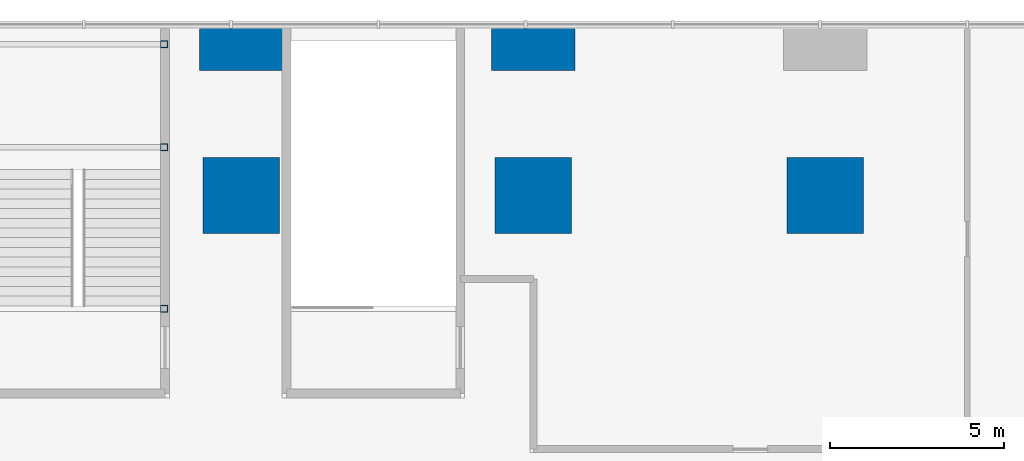
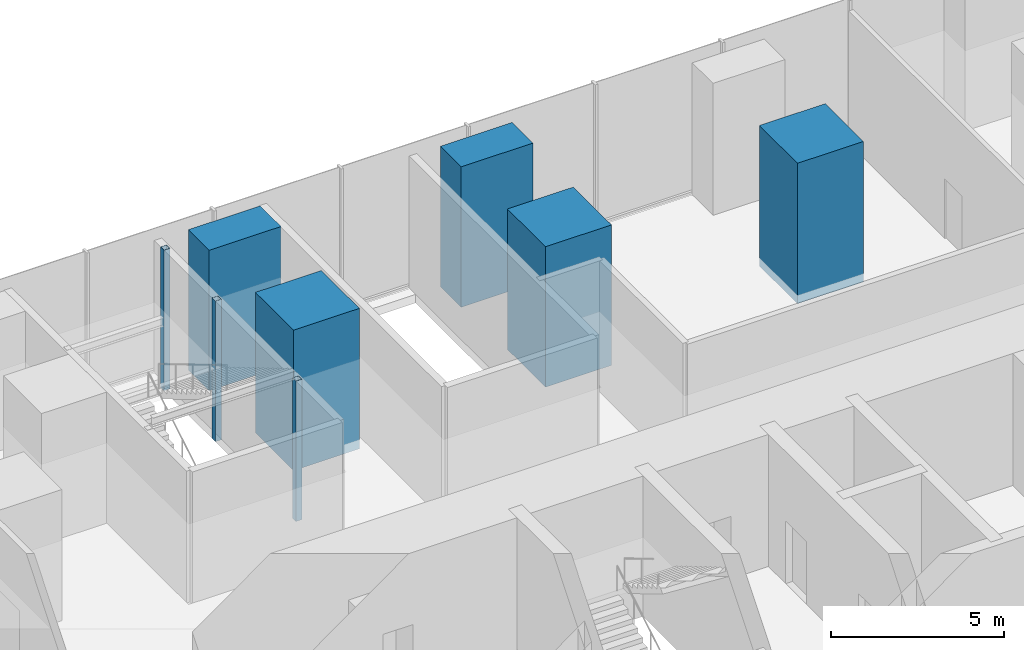
# One storey, part 4 of 18: 8 columns.
"""IFC4 building model written with IfcOpenShell, lengths in metres."""

from ifc_helpers import new_model, si_unit, direction, frame, origin, origin_2d, place, context, subcontext, project, spatial, rectangle, hollow_rectangle, extrude, material, material_profile, profile_set, type_object, element, save


model = new_model("IFC4")

# Units and contexts
model_context = context("Model", 3, precision=1e-05, world=origin(), true_north=direction((0.0, 1.0)))
body_context = subcontext(model_context, "Body", "Model", "MODEL_VIEW")
ifc_project = project(units=[si_unit("LENGTHUNIT", "METRE"), si_unit("AREAUNIT", "SQUARE_METRE"), si_unit("VOLUMEUNIT", "CUBIC_METRE"), si_unit("PLANEANGLEUNIT", "RADIAN"), si_unit("MASSUNIT", "GRAM", prefix="KILO")], contexts=[model_context])

# Site, building, storey
site_placement = place(None, origin())
site = spatial("IfcSite", under=ifc_project, at=site_placement, CompositionType="ELEMENT")
building_placement = place(site_placement, origin())
building = spatial("IfcBuilding", under=site, at=building_placement, Name="Dunama Terrace Hotel", CompositionType="ELEMENT")
storey_placement = place(building_placement, frame((0.0, 0.0, 17.0)))
storey = spatial("IfcBuildingStorey", under=building, at=storey_placement, Name="L03", CompositionType="ELEMENT", Elevation=17.0)

# Columns
ifc_material_1 = material(Name="Concrete C60/75", Category="concrete")
ifc_material_profile_1 = material_profile(ifc_material_1, rectangle(XDim=2.199951171875, YDim=2.199951171875, at=origin_2d()), Name="RC 2200x2200")
ifc_profile_set_1 = profile_set([ifc_material_profile_1], Name="Concrete C60/75")
column_type_1 = type_object("IfcColumnType", Name="Column RC 2200x2200", PredefinedType="COLUMN", material=ifc_profile_set_1)
for number, where, z_axis, x_axis, name in (
    (1, (25.199951171875, 54.0, -0.300048828125), (0.0, 0.0, 1.0), (1.0, 0.0, 0.0), "Column L03 +25.2/+54.0"),
    (2, (33.60009765625, 54.0, -0.300048828125), (0.0, 0.0, 1.0), (1.0, 0.0, 0.0), "Column L03 +33.6/+54.0"),
    (3, (42.0, 54.0, -0.300048828125), (0.0, 0.0, 1.0), (1.0, 0.0, 0.0), "Column L03 +42.0/+54.0"),
):
    element("IfcColumn", number, at=place(storey_placement, frame(where, z_axis=z_axis, x_axis=x_axis)), inside=storey, type_object=column_type_1, Name=name, PredefinedType="COLUMN", context=body_context, shape_type="SweptSolid", body=[
        extrude(rectangle(XDim=2.199951171875, YDim=2.199951171875, at=origin_2d()), origin(), (0.0, 0.0, 1.0), 4.949951171875),
    ])
ifc_material_2 = material(Name="Concrete C60/75", Category="concrete")
ifc_material_profile_2 = material_profile(ifc_material_2, rectangle(XDim=2.39990234375, YDim=1.199951171875, at=origin_2d()), Name="RC 2400x1200")
ifc_profile_set_2 = profile_set([ifc_material_profile_2], Name="Concrete C60/75")
column_type_2 = type_object("IfcColumnType", Name="Column RC 2400x1200", PredefinedType="COLUMN", material=ifc_profile_set_2)
for number, where, z_axis, x_axis, name in (
    (4, (25.199951171875, 58.199951171875, -0.300048828125), (0.0, 0.0, 1.0), (1.0, 0.0, 0.0), "Column L03 +25.2/+58.2"),
    (5, (33.60009765625, 58.199951171875, -0.300048828125), (0.0, 0.0, 1.0), (1.0, 0.0, 0.0), "Column L03 +33.6/+58.2"),
):
    element("IfcColumn", number, at=place(storey_placement, frame(where, z_axis=z_axis, x_axis=x_axis)), inside=storey, type_object=column_type_2, Name=name, PredefinedType="COLUMN", context=body_context, shape_type="SweptSolid", body=[
        extrude(rectangle(XDim=2.39990234375, YDim=1.199951171875, at=origin_2d()), origin(), (0.0, 0.0, 1.0), 4.949951171875),
    ])
ifc_material_3 = material(Name="Steel S355", Category="steel")
ifc_material_profile_3 = material_profile(ifc_material_3, hollow_rectangle(XDim=0.199951171875, YDim=0.199951171875, WallThickness=0.010009765625, at=origin_2d()), Name="SHS 200x200x10")
ifc_profile_set_3 = profile_set([ifc_material_profile_3], Name="Steel S355")
column_type_3 = type_object("IfcColumnType", Name="Stair post SHS 200x200x10", PredefinedType="COLUMN", material=ifc_profile_set_3)
for number, where, z_axis, x_axis, name in (
    (6, (22.97509765625, 50.742431640625, -0.300048828125), (0.0, 0.0, 1.0), (1.0, 0.0, 0.0), "Stair post P5 L03 +22.98/+50.74"),
    (7, (22.97509765625, 55.387451171875, -0.300048828125), (0.0, 0.0, 1.0), (1.0, 0.0, 0.0), "Stair post P5 L03 +22.98/+55.39"),
    (8, (22.97509765625, 58.35009765625, -0.300048828125), (0.0, 0.0, 1.0), (1.0, 0.0, 0.0), "Stair post P5 L03 +22.98/+58.35"),
):
    element("IfcColumn", number, at=place(storey_placement, frame(where, z_axis=z_axis, x_axis=x_axis)), inside=storey, type_object=column_type_3, Name=name, PredefinedType="COLUMN", context=body_context, shape_type="SweptSolid", body=[
        extrude(hollow_rectangle(XDim=0.199951171875, YDim=0.199951171875, WallThickness=0.010009765625, at=origin_2d()), origin(), (0.0, 0.0, 1.0), 4.949951171875),
    ])

save(model, "model.ifc")
